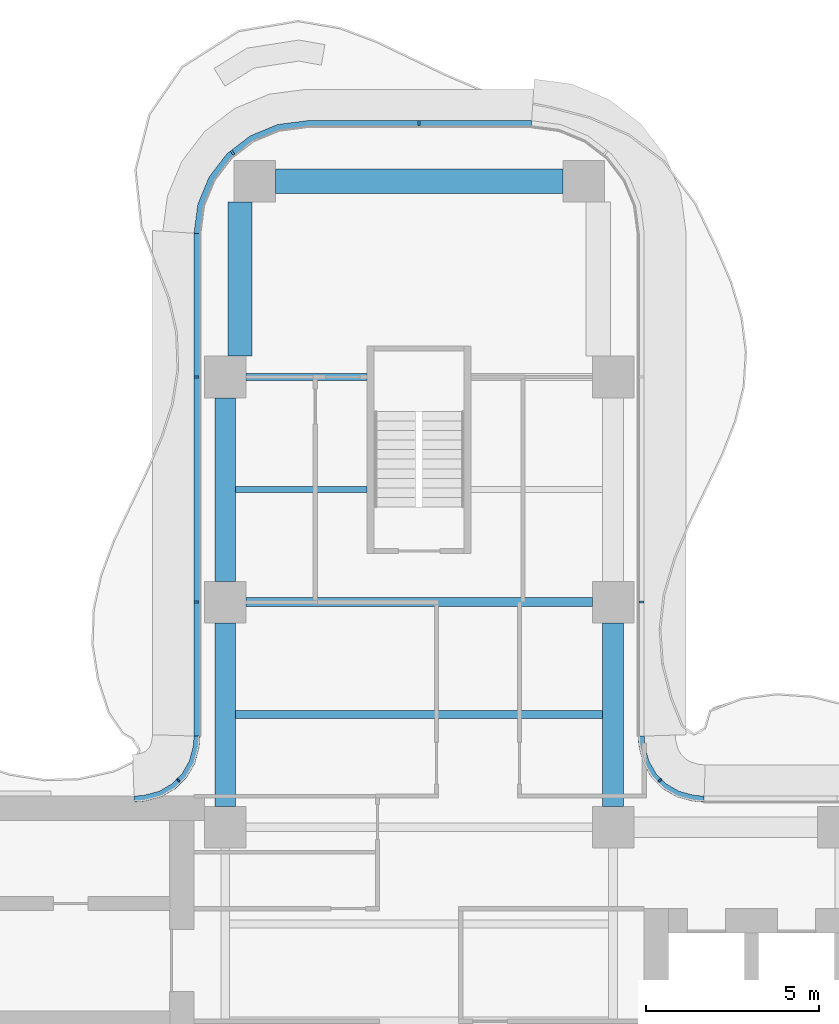
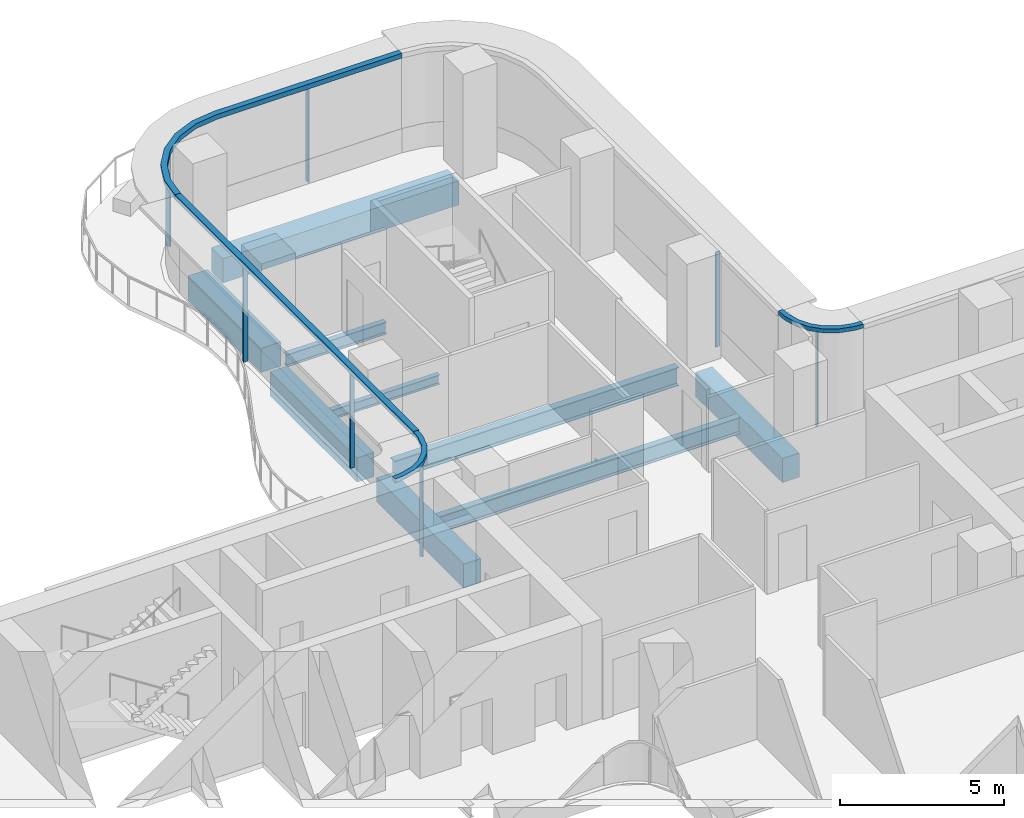
# One storey, part 7 of 18: 11 members, 9 beams, 5 elements without a shape of their own.
"""IFC4 building model written with IfcOpenShell, lengths in metres."""

from ifc_helpers import new_model, si_unit, direction, frame, origin, origin_2d, place, context, subcontext, project, spatial, polyline, rectangle, i_section, outline, extrude, source, transform, mapped, material, layer, layer_set, material_profile, profile_set, type_object, element, aggregate, save


model = new_model("IFC4")

# Units and contexts
model_context = context("Model", 3, precision=1e-05, world=origin(), true_north=direction((0.0, 1.0)))
body_context = subcontext(model_context, "Body", "Model", "MODEL_VIEW")
ifc_project = project(units=[si_unit("LENGTHUNIT", "METRE"), si_unit("AREAUNIT", "SQUARE_METRE"), si_unit("VOLUMEUNIT", "CUBIC_METRE"), si_unit("PLANEANGLEUNIT", "RADIAN"), si_unit("MASSUNIT", "GRAM", prefix="KILO")], contexts=[model_context])

# Site, building, storey
site_placement = place(None, origin())
site = spatial("IfcSite", under=ifc_project, at=site_placement, CompositionType="ELEMENT")
building_placement = place(site_placement, origin())
building = spatial("IfcBuilding", under=site, at=building_placement, Name="Trellis Farm Tower", CompositionType="ELEMENT")
storey_placement = place(building_placement, frame((0.0, 0.0, 169.800048828125)))
storey = spatial("IfcBuildingStorey", under=building, at=storey_placement, Name="L36", CompositionType="ELEMENT", Elevation=169.800048828125)

# Beams
ifc_material_1 = material(Name="Steel S355", Category="steel")
ifc_material_profile_1 = material_profile(ifc_material_1, i_section(OverallWidth=0.1904296875, OverallDepth=0.45703125, WebThickness=0.009033203125, FlangeThickness=0.014404296875, FilletRadius=0.01025390625, at=origin_2d()), Name="UB 457x191x74")
ifc_profile_set_1 = profile_set([ifc_material_profile_1], Name="Steel S355")
beam_type_1 = type_object("IfcBeamType", Name="UB 457x191x74", PredefinedType="BEAM", material=ifc_profile_set_1)
shared_shape_1 = source(origin(), body_context, "Body", "SweptSolid", [
    extrude(i_section(OverallWidth=0.1904296875, OverallDepth=0.45703125, WebThickness=0.009033203125, FlangeThickness=0.014404296875, FilletRadius=0.01025390625, at=origin_2d()), origin(), (0.0, 0.0, 1.0), 3.5),
])
beam_1_placement = place(storey_placement, frame((-5.0, 18.60009765625, -0.428466796875), z_axis=(1.0, 0.0, 0.0), x_axis=(0.0, 1.0, 0.0)))
element("IfcBeam", 1, at=beam_1_placement, inside=storey, type_object=beam_type_1, Name="Girder", PredefinedType="BEAM", context=body_context, shape_type="MappedRepresentation", body=[
    mapped(shared_shape_1, transform((0.0, 0.0, 0.0))),
])
ifc_material_2 = material(Name="Concrete C60/75", Category="concrete")
ifc_material_profile_2 = material_profile(ifc_material_2, rectangle(XDim=0.60009765625, YDim=0.89990234375, at=origin_2d()), Name="RC spandrel beam 600x900 C60/75")
ifc_profile_set_2 = profile_set([ifc_material_profile_2], Name="Concrete C60/75")
beam_type_2 = type_object("IfcBeamType", Name="RC spandrel beam 600x900 C60/75", PredefinedType="SPANDREL", material=ifc_profile_set_2)
shared_shape_2 = source(origin(), body_context, "Body", "SweptSolid", [
    extrude(rectangle(XDim=0.60009765625, YDim=0.89990234375, at=origin_2d()), origin(), (0.0, 0.0, 1.0), 5.300048828125),
])
for number, where, z_axis, x_axis, name in (
    (2, (-5.60009765625, 6.199951171875, -0.650146484375), (0.0, 1.0, 0.0), (-1.0, 0.0, 0.0), "Girder"),
    (3, (-5.60009765625, 12.699951171875, -0.650146484375), (0.0, 1.0, 0.0), (-1.0, 0.0, 0.0), "Girder"),
    (4, (5.60009765625, 6.199951171875, -0.650146484375), (0.0, 1.0, 0.0), (-1.0, 0.0, 0.0), "Girder"),
):
    element("IfcBeam", number, at=place(storey_placement, frame(where, z_axis=z_axis, x_axis=x_axis)), inside=storey, type_object=beam_type_2, Name=name, PredefinedType="SPANDREL", context=body_context, shape_type="MappedRepresentation", body=[
        mapped(shared_shape_2, transform((0.0, 0.0, 0.0))),
    ])
ifc_material_profile_3 = material_profile(ifc_material_1, i_section(OverallWidth=0.253662109375, OverallDepth=0.68359375, WebThickness=0.012451171875, FlangeThickness=0.021728515625, FilletRadius=0.01513671875, at=origin_2d()), Name="UB 686x254x140")
ifc_profile_set_3 = profile_set([ifc_material_profile_3], Name="Steel S355")
beam_type_3 = type_object("IfcBeamType", Name="UB 686x254x140", PredefinedType="BEAM", material=ifc_profile_set_3)
shared_shape_3 = source(origin(), body_context, "Body", "SweptSolid", [
    extrude(i_section(OverallWidth=0.253662109375, OverallDepth=0.68359375, WebThickness=0.012451171875, FlangeThickness=0.021728515625, FilletRadius=0.01513671875, at=origin_2d()), origin(), (0.0, 0.0, 1.0), 10.0),
])
beam_2_placement = place(storey_placement, frame((-5.0, 12.10009765625, -0.541748046875), z_axis=(1.0, 0.0, 0.0), x_axis=(0.0, 1.0, 0.0)))
element("IfcBeam", 5, at=beam_2_placement, inside=storey, type_object=beam_type_3, Name="Girder", PredefinedType="BEAM", context=body_context, shape_type="MappedRepresentation", body=[
    mapped(shared_shape_3, transform((0.0, 0.0, 0.0))),
])
ifc_material_profile_4 = material_profile(ifc_material_2, rectangle(XDim=0.699951171875, YDim=0.89990234375, at=origin_2d()), Name="RC spandrel beam 700x900 C60/75")
ifc_profile_set_4 = profile_set([ifc_material_profile_4], Name="Concrete C60/75")
beam_type_4 = type_object("IfcBeamType", Name="RC spandrel beam 700x900 C60/75", PredefinedType="SPANDREL", material=ifc_profile_set_4)
shared_shape_4 = source(origin(), body_context, "Body", "SweptSolid", [
    extrude(rectangle(XDim=0.699951171875, YDim=0.89990234375, at=origin_2d()), origin(), (0.0, 0.0, 1.0), 8.2998046875),
])
beam_3_placement = place(storey_placement, frame((-4.14990234375, 24.25, -0.650146484375), z_axis=(1.0, 0.0, 0.0), x_axis=(0.0, 1.0, 0.0)))
element("IfcBeam", 6, at=beam_3_placement, inside=storey, type_object=beam_type_4, Name="Girder", PredefinedType="SPANDREL", context=body_context, shape_type="MappedRepresentation", body=[
    mapped(shared_shape_4, transform((0.0, 0.0, 0.0))),
])
shared_shape_5 = source(origin(), body_context, "Body", "SweptSolid", [
    extrude(rectangle(XDim=0.699951171875, YDim=0.89990234375, at=origin_2d()), origin(), (0.0, 0.0, 1.0), 4.449951171875),
])
beam_4_placement = place(storey_placement, frame((-5.175048828125, 19.199951171875, -0.650146484375), z_axis=(0.0, 1.0, 0.0), x_axis=(-1.0, 0.0, 0.0)))
element("IfcBeam", 7, at=beam_4_placement, inside=storey, type_object=beam_type_4, Name="Girder", PredefinedType="SPANDREL", context=body_context, shape_type="MappedRepresentation", body=[
    mapped(shared_shape_5, transform((0.0, 0.0, 0.0))),
])
ifc_material_profile_5 = material_profile(ifc_material_1, i_section(OverallWidth=0.17138671875, OverallDepth=0.35498046875, WebThickness=0.00732421875, FlangeThickness=0.011474609375, FilletRadius=0.01025390625, at=origin_2d()), Name="UB 356x171x51")
ifc_profile_set_5 = profile_set([ifc_material_profile_5], Name="Steel S355")
beam_type_5 = type_object("IfcBeamType", Name="UB 356x171x51 joist", PredefinedType="JOIST", material=ifc_profile_set_5)
shared_shape_6 = source(origin(), body_context, "Body", "SweptSolid", [
    extrude(i_section(OverallWidth=0.17138671875, OverallDepth=0.35498046875, WebThickness=0.00732421875, FlangeThickness=0.011474609375, FilletRadius=0.01025390625, at=origin_2d()), origin(), (0.0, 0.0, 1.0), 3.800048828125),
])
beam_5_placement = place(storey_placement, frame((-5.300048828125, 15.35009765625, -0.37744140625), z_axis=(1.0, 0.0, 0.0), x_axis=(0.0, 1.0, 0.0)))
element("IfcBeam", 8, at=beam_5_placement, inside=storey, type_object=beam_type_5, Name="Floor beam", PredefinedType="JOIST", context=body_context, shape_type="MappedRepresentation", body=[
    mapped(shared_shape_6, transform((0.0, 0.0, 0.0))),
])
ifc_material_profile_6 = material_profile(ifc_material_1, i_section(OverallWidth=0.22900390625, OverallDepth=0.6123046875, WebThickness=0.011962890625, FlangeThickness=0.01953125, FilletRadius=0.0126953125, at=origin_2d()), Name="UB 610x229x125")
ifc_profile_set_6 = profile_set([ifc_material_profile_6], Name="Steel S355")
beam_type_6 = type_object("IfcBeamType", Name="UB 610x229x125 joist", PredefinedType="JOIST", material=ifc_profile_set_6)
shared_shape_7 = source(origin(), body_context, "Body", "SweptSolid", [
    extrude(i_section(OverallWidth=0.22900390625, OverallDepth=0.6123046875, WebThickness=0.011962890625, FlangeThickness=0.01953125, FilletRadius=0.0126953125, at=origin_2d()), origin(), (0.0, 0.0, 1.0), 10.60009765625),
])
beam_6_placement = place(storey_placement, frame((-5.300048828125, 8.85009765625, -0.506103515625), z_axis=(1.0, 0.0, 0.0), x_axis=(0.0, 1.0, 0.0)))
element("IfcBeam", 9, at=beam_6_placement, inside=storey, type_object=beam_type_6, Name="Floor beam", PredefinedType="JOIST", context=body_context, shape_type="MappedRepresentation", body=[
    mapped(shared_shape_7, transform((0.0, 0.0, 0.0))),
])

# Curtain wall, member
ifc_material_3 = material(Name="Aluminium and glass curtain wall", Category="aluminium")
ifc_layer_1 = layer(ifc_material_3, 0.166015625)
ifc_layer_set_1 = layer_set([ifc_layer_1], Name="WINTER GARDEN CURTAIN WALL CW3")
curtain_wall_type_1 = type_object("IfcCurtainWallType", Name="WINTER GARDEN CURTAIN WALL CW3", PredefinedType="NOTDEFINED", material=ifc_layer_set_1)
placement_1 = place(storey_placement, origin())
curtain_wall_1 = element("IfcCurtainWall", 10, at=placement_1, inside=storey, type_object=curtain_wall_type_1, Name="CW3 003", PredefinedType="NOTDEFINED")
ifc_material_4 = material(Name="Aluminium extrusion 6063-T6", Category="aluminium")
ifc_layer_2 = layer(ifc_material_4, 0.169921875)
ifc_layer_set_2 = layer_set([ifc_layer_2], Name="Aluminium extrusion 6063-T6")
member_type_1 = type_object("IfcMemberType", Name="CW3 TRANSOM 170x150", PredefinedType="USERDEFINED", material=ifc_layer_set_2)
shared_shape_8 = source(origin(), body_context, "Body", "SweptSolid", [
    extrude(outline(polyline([(8.2314453125, 6.5), (8.01953125, 6.513916015625), (7.91552734375, 6.527587890625), (7.508544921875, 6.63671875), (7.144287109375, 6.846923828125), (6.846923828125, 7.144287109375), (6.63671875, 7.508544921875), (6.527587890625, 7.91552734375), (6.513916015625, 8.01953125), (6.5, 8.2314453125), (6.330078125, 8.225830078125), (6.3447265625, 8.0029296875), (6.360595703125, 7.88232421875), (6.478271484375, 7.44287109375), (6.7109375, 7.0400390625), (7.0400390625, 6.7109375), (7.44287109375, 6.478271484375), (7.88232421875, 6.360595703125), (8.0029296875, 6.3447265625), (8.225830078125, 6.330078125), (8.2314453125, 6.5)])), origin(), (0.0, 0.0, 1.0), 0.14990234375),
])
placement_2 = place(storey_placement, frame((0.0, 0.0, 3.550048828125)))
member_1 = element("IfcMember", 11, at=placement_2, type_object=member_type_1, Name="TR3 003", ObjectType="TRANSOM", PredefinedType="USERDEFINED", context=body_context, shape_type="MappedRepresentation", body=[
    mapped(shared_shape_8, transform((0.0, 0.0, 0.0))),
])

curtain_wall_2 = element("IfcCurtainWall", 12, at=placement_1, inside=storey, type_object=curtain_wall_type_1, Name="CW3 004", PredefinedType="NOTDEFINED")
shared_shape_9 = source(origin(), body_context, "Body", "SweptSolid", [
    extrude(outline(polyline([(-6.5, 8.2314453125), (-6.513916015625, 8.01953125), (-6.527587890625, 7.91552734375), (-6.63671875, 7.508544921875), (-6.846923828125, 7.144287109375), (-7.144287109375, 6.846923828125), (-7.508544921875, 6.63671875), (-7.91552734375, 6.527587890625), (-8.01953125, 6.513916015625), (-8.2314453125, 6.5), (-8.225830078125, 6.330078125), (-8.0029296875, 6.3447265625), (-7.88232421875, 6.360595703125), (-7.44287109375, 6.478271484375), (-7.0400390625, 6.7109375), (-6.7109375, 7.0400390625), (-6.478271484375, 7.44287109375), (-6.360595703125, 7.88232421875), (-6.3447265625, 8.0029296875), (-6.330078125, 8.225830078125), (-6.5, 8.2314453125)])), origin(), (0.0, 0.0, 1.0), 0.14990234375),
])
member_2 = element("IfcMember", 13, at=placement_2, type_object=member_type_1, Name="TR3 004", ObjectType="TRANSOM", PredefinedType="USERDEFINED", context=body_context, shape_type="MappedRepresentation", body=[
    mapped(shared_shape_9, transform((0.0, 0.0, 0.0))),
])

ifc_layer_3 = layer(ifc_material_3, 0.18994140625)
ifc_layer_set_3 = layer_set([ifc_layer_3], Name="RIBBON CURTAIN WALL CW1")
curtain_wall_type_2 = type_object("IfcCurtainWallType", Name="RIBBON CURTAIN WALL CW1", PredefinedType="NOTDEFINED", material=ifc_layer_set_3)
curtain_wall_3 = element("IfcCurtainWall", 14, at=placement_1, inside=storey, type_object=curtain_wall_type_2, Name="CW1 011", PredefinedType="NOTDEFINED")
ifc_layer_4 = layer(ifc_material_4, 0.199951171875)
ifc_layer_set_4 = layer_set([ifc_layer_4], Name="Aluminium extrusion 6063-T6")
member_type_2 = type_object("IfcMemberType", Name="CW1 TRANSOM 200x180", PredefinedType="USERDEFINED", material=ifc_layer_set_4)
shared_shape_10 = source(origin(), body_context, "Body", "SweptSolid", [
    extrude(outline(polyline([(-6.5, 22.75), (-6.5, 8.2314453125), (-6.300048828125, 8.224853515625), (-6.300048828125, 22.73681640625), (-6.5, 22.75)])), origin(), (0.0, 0.0, 1.0), 0.179931640625),
])
placement_3 = place(storey_placement, frame((0.0, 0.0, 3.52001953125)))
member_3 = element("IfcMember", 15, at=placement_3, type_object=member_type_2, Name="TR1 011", ObjectType="TRANSOM", PredefinedType="USERDEFINED", context=body_context, shape_type="MappedRepresentation", body=[
    mapped(shared_shape_10, transform((0.0, 0.0, 0.0))),
])

curtain_wall_4 = element("IfcCurtainWall", 16, at=placement_1, inside=storey, type_object=curtain_wall_type_2, Name="CW1 010", PredefinedType="NOTDEFINED")
shared_shape_11 = source(origin(), body_context, "Body", "SweptSolid", [
    extrude(outline(polyline([(3.25, 26.0), (-3.25, 26.0), (-4.091064453125, 25.88916015625), (-4.875, 25.564697265625), (-5.548095703125, 25.048095703125), (-6.064697265625, 24.375), (-6.38916015625, 23.591064453125), (-6.5, 22.75), (-6.300048828125, 22.73681640625), (-6.1943359375, 23.5390625), (-5.889892578125, 24.274169921875), (-5.405517578125, 24.905517578125), (-4.774169921875, 25.389892578125), (-4.0390625, 25.6943359375), (-3.23681640625, 25.800048828125), (3.23681640625, 25.800048828125), (3.25, 26.0)])), origin(), (0.0, 0.0, 1.0), 0.179931640625),
])
member_4 = element("IfcMember", 17, at=placement_3, type_object=member_type_2, Name="TR1 010", ObjectType="TRANSOM", PredefinedType="USERDEFINED", context=body_context, shape_type="MappedRepresentation", body=[
    mapped(shared_shape_11, transform((0.0, 0.0, 0.0))),
])

curtain_wall_5 = element("IfcCurtainWall", 18, at=placement_1, inside=storey, type_object=curtain_wall_type_2, Name="CW1 009", PredefinedType="NOTDEFINED")
ifc_material_profile_7 = material_profile(ifc_material_4, rectangle(XDim=0.06005859375, YDim=0.14990234375, at=origin_2d()), Name="MULLION 60x150")
ifc_profile_set_7 = profile_set([ifc_material_profile_7], Name="Aluminium extrusion 6063-T6")
member_type_3 = type_object("IfcMemberType", Name="CW1 MULLION 60x150", PredefinedType="MULLION", material=ifc_profile_set_7)
shared_shape_12 = source(origin(), body_context, "Body", "SweptSolid", [
    extrude(rectangle(XDim=0.06005859375, YDim=0.14990234375, at=origin_2d()), origin(), (0.0, 0.0, 1.0), 3.52001953125),
])
member_5_placement = place(storey_placement, frame((6.425048828125, 12.10009765625, 0.0), z_axis=(0.0, 0.0, 1.0), x_axis=(0.0, 1.0, 0.0)))
member_5 = element("IfcMember", 19, at=member_5_placement, type_object=member_type_3, Name="MU1 009-01", PredefinedType="MULLION", context=body_context, shape_type="MappedRepresentation", body=[
    mapped(shared_shape_12, transform((0.0, 0.0, 0.0))),
])
aggregate(curtain_wall_5, [member_5])

# Member
member_6_placement = place(storey_placement, frame((0.0, 25.925048828125, 0.0), z_axis=(0.0, 0.0, 1.0), x_axis=(-1.0, 0.0, 0.0)))
member_6 = element("IfcMember", 20, at=member_6_placement, type_object=member_type_3, Name="MU1 010-01", PredefinedType="MULLION", context=body_context, shape_type="MappedRepresentation", body=[
    mapped(shared_shape_12, transform((0.0, 0.0, 0.0))),
])

member_7_placement = place(storey_placement, frame((-5.385498046875, 25.078369140625, 0.0), z_axis=(0.0, 0.0, 1.0), x_axis=(-0.793353340291, -0.608761429009, 0.0)))
member_7 = element("IfcMember", 21, at=member_7_placement, type_object=member_type_3, Name="MU1 010-02", PredefinedType="MULLION", context=body_context, shape_type="MappedRepresentation", body=[
    mapped(shared_shape_12, transform((0.0, 0.0, 0.0))),
])

aggregate(curtain_wall_4, [member_6, member_7, member_4])

member_8_placement = place(storey_placement, frame((-6.425048828125, 18.60009765625, 0.0), z_axis=(0.0, 0.0, 1.0), x_axis=(0.0, -1.0, 0.0)))
member_8 = element("IfcMember", 22, at=member_8_placement, type_object=member_type_3, Name="MU1 011-01", PredefinedType="MULLION", context=body_context, shape_type="MappedRepresentation", body=[
    mapped(shared_shape_12, transform((0.0, 0.0, 0.0))),
])

member_9_placement = place(storey_placement, frame((-6.425048828125, 12.10009765625, 0.0), z_axis=(0.0, 0.0, 1.0), x_axis=(0.0, -1.0, 0.0)))
member_9 = element("IfcMember", 23, at=member_9_placement, type_object=member_type_3, Name="MU1 011-02", PredefinedType="MULLION", context=body_context, shape_type="MappedRepresentation", body=[
    mapped(shared_shape_12, transform((0.0, 0.0, 0.0))),
])

aggregate(curtain_wall_3, [member_8, member_9, member_3])

ifc_material_profile_8 = material_profile(ifc_material_4, rectangle(XDim=0.050048828125, YDim=0.1201171875, at=origin_2d()), Name="MULLION 50x120")
ifc_profile_set_8 = profile_set([ifc_material_profile_8], Name="Aluminium extrusion 6063-T6")
member_type_4 = type_object("IfcMemberType", Name="CW3 MULLION 50x120", PredefinedType="MULLION", material=ifc_profile_set_8)
shared_shape_13 = source(origin(), body_context, "Body", "SweptSolid", [
    extrude(rectangle(XDim=0.050048828125, YDim=0.1201171875, at=origin_2d()), origin(), (0.0, 0.0, 1.0), 3.550048828125),
])
member_10_placement = place(storey_placement, frame((6.953125, 6.953125, 0.0), z_axis=(0.0, 0.0, 1.0), x_axis=(-0.707106781187, 0.707106781187, 0.0)))
member_10 = element("IfcMember", 24, at=member_10_placement, type_object=member_type_4, Name="MU3 003-01", PredefinedType="MULLION", context=body_context, shape_type="MappedRepresentation", body=[
    mapped(shared_shape_13, transform((0.0, 0.0, 0.0))),
])

aggregate(curtain_wall_1, [member_10, member_1])

member_11_placement = place(storey_placement, frame((-6.953125, 6.953125, 0.0), z_axis=(0.0, 0.0, 1.0), x_axis=(-0.707106781187, -0.707106781187, 0.0)))
member_11 = element("IfcMember", 25, at=member_11_placement, type_object=member_type_4, Name="MU3 004-01", PredefinedType="MULLION", context=body_context, shape_type="MappedRepresentation", body=[
    mapped(shared_shape_13, transform((0.0, 0.0, 0.0))),
])

aggregate(curtain_wall_2, [member_11, member_2])

save(model, "model.ifc")
